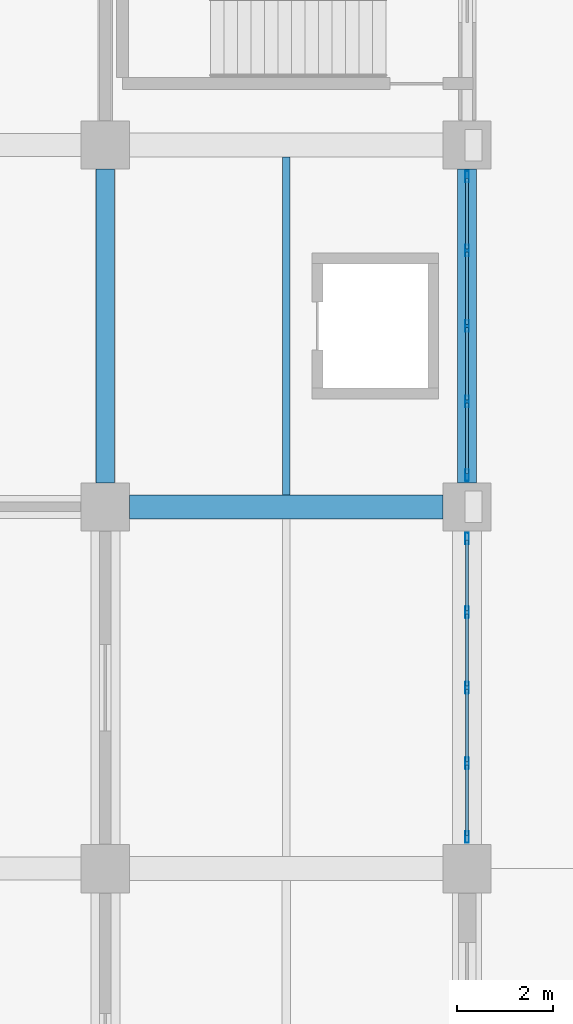
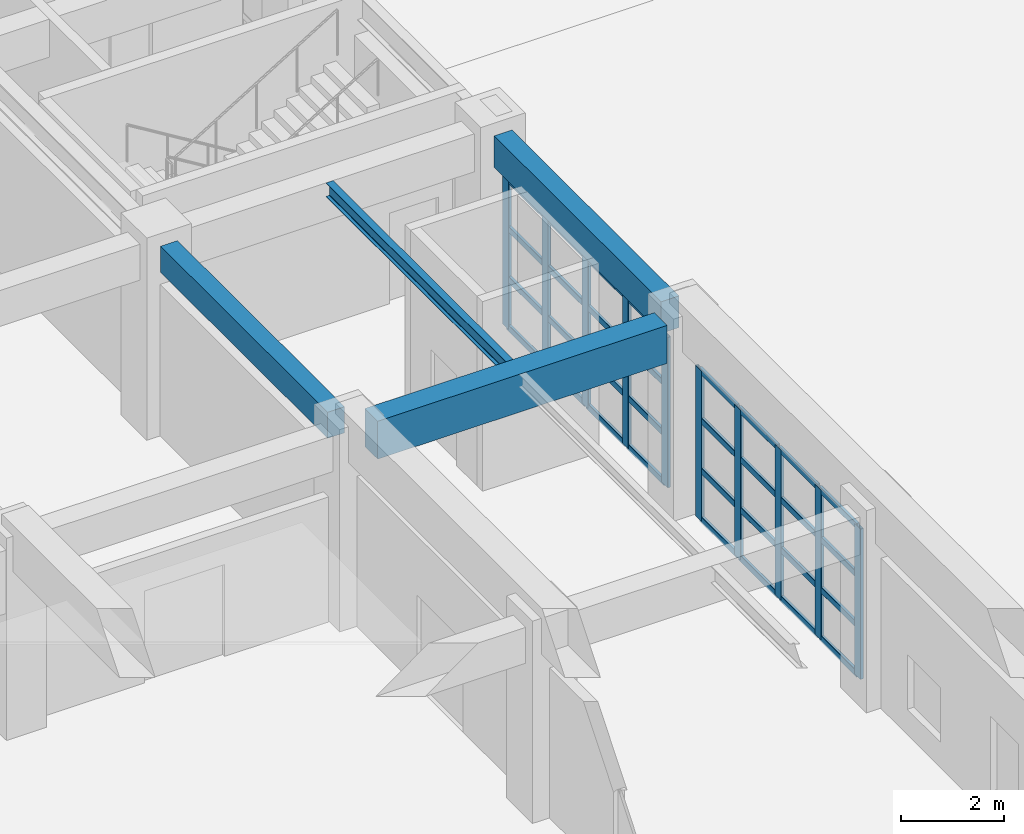
# One storey, part 29 of 122: 42 members, 4 beams, 2 elements without a shape of their own.
"""IFC4 building model written with IfcOpenShell, lengths in metres."""

from ifc_helpers import new_model, si_unit, direction, frame, origin, origin_2d, place, context, subcontext, project, spatial, rectangle, hollow_rectangle, i_section, extrude, material, material_profile, profile_set, type_object, element, aggregate, save


model = new_model("IFC4")

# Units and contexts
model_context = context("Model", 3, precision=1e-05, world=origin(), true_north=direction((0.0, 1.0)))
body_context = subcontext(model_context, "Body", "Model", "MODEL_VIEW")
ifc_project = project(units=[si_unit("LENGTHUNIT", "METRE"), si_unit("AREAUNIT", "SQUARE_METRE"), si_unit("VOLUMEUNIT", "CUBIC_METRE"), si_unit("PLANEANGLEUNIT", "RADIAN"), si_unit("MASSUNIT", "GRAM", prefix="KILO")], contexts=[model_context])

# Site, building, storey
site_placement = place(None, origin())
site = spatial("IfcSite", under=ifc_project, at=site_placement, CompositionType="ELEMENT")
building_placement = place(site_placement, origin())
building = spatial("IfcBuilding", under=site, at=building_placement, Name="Qasida Concert Hall", CompositionType="ELEMENT")
storey_placement = place(building_placement, origin())
storey = spatial("IfcBuildingStorey", under=building, at=storey_placement, Name="L00", CompositionType="ELEMENT", Elevation=0.0)

# Beams
ifc_material_1 = material(Name="Concrete C40/50", Category="concrete")
ifc_material_profile_1 = material_profile(ifc_material_1, rectangle(XDim=0.3798828125, YDim=0.6201171875, at=origin_2d()), Name="RC 380x620")
ifc_profile_set_1 = profile_set([ifc_material_profile_1], Name="Concrete C40/50")
beam_type_1 = type_object("IfcBeamType", Name="BM-B10", PredefinedType="BEAM", material=ifc_profile_set_1)
beam_1_placement = place(storey_placement, frame((97.5, 38.0, 4.18994140625), z_axis=(0.0, 1.0, 0.0), x_axis=(-1.0, 0.0, 0.0)))
element("IfcBeam", 1, at=beam_1_placement, inside=storey, type_object=beam_type_1, Name="L00 girder 0430", PredefinedType="BEAM", context=body_context, shape_type="SweptSolid", body=[
    extrude(rectangle(XDim=0.3798828125, YDim=0.6201171875, at=origin_2d()), origin(), (0.0, 0.0, 1.0), 6.5),
])
ifc_material_profile_2 = material_profile(ifc_material_1, rectangle(XDim=0.5, YDim=0.89990234375, at=origin_2d()), Name="RC 500x900")
ifc_profile_set_2 = profile_set([ifc_material_profile_2], Name="Concrete C40/50")
beam_type_2 = type_object("IfcBeamType", Name="BM-G1", PredefinedType="USERDEFINED", material=ifc_profile_set_2)
beam_2_placement = place(storey_placement, frame((98.0, 37.5, 4.050048828125), z_axis=(1.0, 0.0, 0.0), x_axis=(0.0, 1.0, 0.0)))
element("IfcBeam", 2, at=beam_2_placement, inside=storey, type_object=beam_type_2, Name="Primary girder 0369", ObjectType="GIRDER", PredefinedType="USERDEFINED", context=body_context, shape_type="SweptSolid", body=[
    extrude(rectangle(XDim=0.5, YDim=0.89990234375, at=origin_2d()), origin(), (0.0, 0.0, 1.0), 6.5),
])
ifc_material_2 = material(Name="Steel S355J2", Category="steel")
ifc_material_profile_3 = material_profile(ifc_material_2, i_section(OverallWidth=0.159912109375, OverallDepth=0.330078125, WebThickness=0.007568359375, FlangeThickness=0.011474609375, FilletRadius=0.01806640625, at=origin_2d()), Name="IPE 330")
ifc_profile_set_3 = profile_set([ifc_material_profile_3], Name="Steel S355J2")
beam_type_3 = type_object("IfcBeamType", Name="BM-J5", PredefinedType="JOIST", material=ifc_profile_set_3)
beam_3_placement = place(storey_placement, frame((101.25, 37.75, 4.3349609375), z_axis=(0.0, 1.0, 0.0), x_axis=(-1.0, 0.0, 0.0)))
element("IfcBeam", 3, at=beam_3_placement, inside=storey, type_object=beam_type_3, Name="L00 secondary joist 0460", PredefinedType="JOIST", context=body_context, shape_type="SweptSolid", body=[
    extrude(i_section(OverallWidth=0.159912109375, OverallDepth=0.330078125, WebThickness=0.007568359375, FlangeThickness=0.011474609375, FilletRadius=0.01806640625, at=origin_2d()), origin(), (0.0, 0.0, 1.0), 7.0),
])
ifc_material_profile_4 = material_profile(ifc_material_1, rectangle(XDim=0.39990234375, YDim=0.75, at=origin_2d()), Name="RC 400x750")
ifc_profile_set_4 = profile_set([ifc_material_profile_4], Name="Concrete C40/50")
beam_type_4 = type_object("IfcBeamType", Name="BM-SP1", PredefinedType="SPANDREL", material=ifc_profile_set_4)
beam_4_placement = place(storey_placement, frame((105.0, 38.0, 4.125), z_axis=(0.0, 1.0, 0.0), x_axis=(-1.0, 0.0, 0.0)))
element("IfcBeam", 4, at=beam_4_placement, inside=storey, type_object=beam_type_4, Name="L00 girder 0436", PredefinedType="SPANDREL", context=body_context, shape_type="SweptSolid", body=[
    extrude(rectangle(XDim=0.39990234375, YDim=0.75, at=origin_2d()), origin(), (0.0, 0.0, 1.0), 6.5),
])

# Curtain wall, members
ifc_material_3 = material(Name="Architectural bronze-anodized aluminium and low-E glass", Category="aluminium")
curtain_wall_type = type_object("IfcCurtainWallType", Name="CW-01", PredefinedType="NOTDEFINED", material=ifc_material_3)
curtain_wall_1_placement = place(storey_placement, origin())
curtain_wall_1 = element("IfcCurtainWall", 5, at=curtain_wall_1_placement, inside=storey, type_object=curtain_wall_type, Name="L00 curtain wall CW-01 0036", PredefinedType="NOTDEFINED")
ifc_material_4 = material(Name="Architectural bronze-anodized aluminium EN AW-6063", Category="aluminium")
ifc_material_profile_5 = material_profile(ifc_material_4, hollow_rectangle(XDim=0.070068359375, YDim=0.239990234375, WallThickness=0.0048828125, InnerFilletRadius=0.0048828125, OuterFilletRadius=0.010009765625, at=origin_2d()), Name="CWM 240x70x5")
ifc_profile_set_5 = profile_set([ifc_material_profile_5], Name="Architectural bronze-anodized aluminium EN AW-6063")
member_type_1 = type_object("IfcMemberType", Name="MB-CWM-1", PredefinedType="MULLION", material=ifc_profile_set_5)
member_1_placement = place(storey_placement, frame((105.0, 30.655029296875, 0.0), z_axis=(0.0, 0.0, 1.0), x_axis=(-1.0, 0.0, 0.0)))
member_1 = element("IfcMember", 6, at=member_1_placement, type_object=member_type_1, Name="CW-01 mullion 1", PredefinedType="MULLION", context=body_context, shape_type="SweptSolid", body=[
    extrude(hollow_rectangle(XDim=0.070068359375, YDim=0.239990234375, WallThickness=0.0048828125, InnerFilletRadius=0.0048828125, OuterFilletRadius=0.010009765625, at=origin_2d()), origin(), (0.0, 0.0, 1.0), 3.570068359375),
])
member_2_placement = place(storey_placement, frame((105.0, 32.18505859375, 0.0), z_axis=(0.0, 0.0, 1.0), x_axis=(-1.0, 0.0, 0.0)))
member_2 = element("IfcMember", 7, at=member_2_placement, type_object=member_type_1, Name="CW-01 mullion 2", PredefinedType="MULLION", context=body_context, shape_type="SweptSolid", body=[
    extrude(hollow_rectangle(XDim=0.070068359375, YDim=0.239990234375, WallThickness=0.0048828125, InnerFilletRadius=0.0048828125, OuterFilletRadius=0.010009765625, at=origin_2d()), origin(), (0.0, 0.0, 1.0), 3.570068359375),
])
member_3_placement = place(storey_placement, frame((105.0, 33.75, 0.0), z_axis=(0.0, 0.0, 1.0), x_axis=(-1.0, 0.0, 0.0)))
member_3 = element("IfcMember", 8, at=member_3_placement, type_object=member_type_1, Name="CW-01 mullion 3", PredefinedType="MULLION", context=body_context, shape_type="SweptSolid", body=[
    extrude(hollow_rectangle(XDim=0.070068359375, YDim=0.239990234375, WallThickness=0.0048828125, InnerFilletRadius=0.0048828125, OuterFilletRadius=0.010009765625, at=origin_2d()), origin(), (0.0, 0.0, 1.0), 3.570068359375),
])
member_4_placement = place(storey_placement, frame((105.0, 35.31494140625, 0.0), z_axis=(0.0, 0.0, 1.0), x_axis=(-1.0, 0.0, 0.0)))
member_4 = element("IfcMember", 9, at=member_4_placement, type_object=member_type_1, Name="CW-01 mullion 4", PredefinedType="MULLION", context=body_context, shape_type="SweptSolid", body=[
    extrude(hollow_rectangle(XDim=0.070068359375, YDim=0.239990234375, WallThickness=0.0048828125, InnerFilletRadius=0.0048828125, OuterFilletRadius=0.010009765625, at=origin_2d()), origin(), (0.0, 0.0, 1.0), 3.570068359375),
])
member_5_placement = place(storey_placement, frame((105.0, 36.844970703125, 0.0), z_axis=(0.0, 0.0, 1.0), x_axis=(-1.0, 0.0, 0.0)))
member_5 = element("IfcMember", 10, at=member_5_placement, type_object=member_type_1, Name="CW-01 mullion 5", PredefinedType="MULLION", context=body_context, shape_type="SweptSolid", body=[
    extrude(hollow_rectangle(XDim=0.070068359375, YDim=0.239990234375, WallThickness=0.0048828125, InnerFilletRadius=0.0048828125, OuterFilletRadius=0.010009765625, at=origin_2d()), origin(), (0.0, 0.0, 1.0), 3.570068359375),
])

curtain_wall_2_placement = place(storey_placement, origin())
curtain_wall_2 = element("IfcCurtainWall", 11, at=curtain_wall_2_placement, inside=storey, type_object=curtain_wall_type, Name="L00 curtain wall CW-01 0038", PredefinedType="NOTDEFINED")
member_6_placement = place(storey_placement, frame((105.0, 38.155029296875, 0.0), z_axis=(0.0, 0.0, 1.0), x_axis=(-1.0, 0.0, 0.0)))
member_6 = element("IfcMember", 12, at=member_6_placement, type_object=member_type_1, Name="CW-01 mullion 1", PredefinedType="MULLION", context=body_context, shape_type="SweptSolid", body=[
    extrude(hollow_rectangle(XDim=0.070068359375, YDim=0.239990234375, WallThickness=0.0048828125, InnerFilletRadius=0.0048828125, OuterFilletRadius=0.010009765625, at=origin_2d()), origin(), (0.0, 0.0, 1.0), 3.570068359375),
])
member_7_placement = place(storey_placement, frame((105.0, 39.68505859375, 0.0), z_axis=(0.0, 0.0, 1.0), x_axis=(-1.0, 0.0, 0.0)))
member_7 = element("IfcMember", 13, at=member_7_placement, type_object=member_type_1, Name="CW-01 mullion 2", PredefinedType="MULLION", context=body_context, shape_type="SweptSolid", body=[
    extrude(hollow_rectangle(XDim=0.070068359375, YDim=0.239990234375, WallThickness=0.0048828125, InnerFilletRadius=0.0048828125, OuterFilletRadius=0.010009765625, at=origin_2d()), origin(), (0.0, 0.0, 1.0), 3.570068359375),
])
member_8_placement = place(storey_placement, frame((105.0, 41.25, 0.0), z_axis=(0.0, 0.0, 1.0), x_axis=(-1.0, 0.0, 0.0)))
member_8 = element("IfcMember", 14, at=member_8_placement, type_object=member_type_1, Name="CW-01 mullion 3", PredefinedType="MULLION", context=body_context, shape_type="SweptSolid", body=[
    extrude(hollow_rectangle(XDim=0.070068359375, YDim=0.239990234375, WallThickness=0.0048828125, InnerFilletRadius=0.0048828125, OuterFilletRadius=0.010009765625, at=origin_2d()), origin(), (0.0, 0.0, 1.0), 3.570068359375),
])
member_9_placement = place(storey_placement, frame((105.0, 42.81494140625, 0.0), z_axis=(0.0, 0.0, 1.0), x_axis=(-1.0, 0.0, 0.0)))
member_9 = element("IfcMember", 15, at=member_9_placement, type_object=member_type_1, Name="CW-01 mullion 4", PredefinedType="MULLION", context=body_context, shape_type="SweptSolid", body=[
    extrude(hollow_rectangle(XDim=0.070068359375, YDim=0.239990234375, WallThickness=0.0048828125, InnerFilletRadius=0.0048828125, OuterFilletRadius=0.010009765625, at=origin_2d()), origin(), (0.0, 0.0, 1.0), 3.570068359375),
])
member_10_placement = place(storey_placement, frame((105.0, 44.344970703125, 0.0), z_axis=(0.0, 0.0, 1.0), x_axis=(-1.0, 0.0, 0.0)))
member_10 = element("IfcMember", 16, at=member_10_placement, type_object=member_type_1, Name="CW-01 mullion 5", PredefinedType="MULLION", context=body_context, shape_type="SweptSolid", body=[
    extrude(hollow_rectangle(XDim=0.070068359375, YDim=0.239990234375, WallThickness=0.0048828125, InnerFilletRadius=0.0048828125, OuterFilletRadius=0.010009765625, at=origin_2d()), origin(), (0.0, 0.0, 1.0), 3.570068359375),
])

# Member
ifc_material_profile_6 = material_profile(ifc_material_4, hollow_rectangle(XDim=0.06494140625, YDim=0.14990234375, WallThickness=0.00390625, InnerFilletRadius=0.00390625, OuterFilletRadius=0.008056640625, at=origin_2d()), Name="CWT 150x65x4")
ifc_profile_set_6 = profile_set([ifc_material_profile_6], Name="Architectural bronze-anodized aluminium EN AW-6063")
member_type_2 = type_object("IfcMemberType", Name="MB-CWT-1", PredefinedType="USERDEFINED", material=ifc_profile_set_6)
member_11_placement = place(storey_placement, frame((105.0, 30.68994140625, 0.032470703125), z_axis=(0.0, 1.0, 0.0), x_axis=(-1.0, 0.0, 0.0)))
member_11 = element("IfcMember", 17, at=member_11_placement, type_object=member_type_2, Name="CW-01 transom 1.1", ObjectType="TRANSOM", PredefinedType="USERDEFINED", context=body_context, shape_type="SweptSolid", body=[
    extrude(hollow_rectangle(XDim=0.06494140625, YDim=0.14990234375, WallThickness=0.00390625, InnerFilletRadius=0.00390625, OuterFilletRadius=0.008056640625, at=origin_2d()), origin(), (0.0, 0.0, 1.0), 1.4599609375),
])

member_12_placement = place(storey_placement, frame((105.0, 30.68994140625, 1.18994140625), z_axis=(0.0, 1.0, 0.0), x_axis=(-1.0, 0.0, 0.0)))
member_12 = element("IfcMember", 18, at=member_12_placement, type_object=member_type_2, Name="CW-01 transom 1.2", ObjectType="TRANSOM", PredefinedType="USERDEFINED", context=body_context, shape_type="SweptSolid", body=[
    extrude(hollow_rectangle(XDim=0.06494140625, YDim=0.14990234375, WallThickness=0.00390625, InnerFilletRadius=0.00390625, OuterFilletRadius=0.008056640625, at=origin_2d()), origin(), (0.0, 0.0, 1.0), 1.4599609375),
])

member_13_placement = place(storey_placement, frame((105.0, 30.68994140625, 2.3798828125), z_axis=(0.0, 1.0, 0.0), x_axis=(-1.0, 0.0, 0.0)))
member_13 = element("IfcMember", 19, at=member_13_placement, type_object=member_type_2, Name="CW-01 transom 1.3", ObjectType="TRANSOM", PredefinedType="USERDEFINED", context=body_context, shape_type="SweptSolid", body=[
    extrude(hollow_rectangle(XDim=0.06494140625, YDim=0.14990234375, WallThickness=0.00390625, InnerFilletRadius=0.00390625, OuterFilletRadius=0.008056640625, at=origin_2d()), origin(), (0.0, 0.0, 1.0), 1.4599609375),
])

member_14_placement = place(storey_placement, frame((105.0, 30.68994140625, 3.53759765625), z_axis=(0.0, 1.0, 0.0), x_axis=(-1.0, 0.0, 0.0)))
member_14 = element("IfcMember", 20, at=member_14_placement, type_object=member_type_2, Name="CW-01 transom 1.4", ObjectType="TRANSOM", PredefinedType="USERDEFINED", context=body_context, shape_type="SweptSolid", body=[
    extrude(hollow_rectangle(XDim=0.06494140625, YDim=0.14990234375, WallThickness=0.00390625, InnerFilletRadius=0.00390625, OuterFilletRadius=0.008056640625, at=origin_2d()), origin(), (0.0, 0.0, 1.0), 1.4599609375),
])

member_15_placement = place(storey_placement, frame((105.0, 32.219970703125, 0.032470703125), z_axis=(0.0, 1.0, 0.0), x_axis=(-1.0, 0.0, 0.0)))
member_15 = element("IfcMember", 21, at=member_15_placement, type_object=member_type_2, Name="CW-01 transom 2.1", ObjectType="TRANSOM", PredefinedType="USERDEFINED", context=body_context, shape_type="SweptSolid", body=[
    extrude(hollow_rectangle(XDim=0.06494140625, YDim=0.14990234375, WallThickness=0.00390625, InnerFilletRadius=0.00390625, OuterFilletRadius=0.008056640625, at=origin_2d()), origin(), (0.0, 0.0, 1.0), 1.4951171875),
])

member_16_placement = place(storey_placement, frame((105.0, 32.219970703125, 1.18994140625), z_axis=(0.0, 1.0, 0.0), x_axis=(-1.0, 0.0, 0.0)))
member_16 = element("IfcMember", 22, at=member_16_placement, type_object=member_type_2, Name="CW-01 transom 2.2", ObjectType="TRANSOM", PredefinedType="USERDEFINED", context=body_context, shape_type="SweptSolid", body=[
    extrude(hollow_rectangle(XDim=0.06494140625, YDim=0.14990234375, WallThickness=0.00390625, InnerFilletRadius=0.00390625, OuterFilletRadius=0.008056640625, at=origin_2d()), origin(), (0.0, 0.0, 1.0), 1.4951171875),
])

member_17_placement = place(storey_placement, frame((105.0, 32.219970703125, 2.3798828125), z_axis=(0.0, 1.0, 0.0), x_axis=(-1.0, 0.0, 0.0)))
member_17 = element("IfcMember", 23, at=member_17_placement, type_object=member_type_2, Name="CW-01 transom 2.3", ObjectType="TRANSOM", PredefinedType="USERDEFINED", context=body_context, shape_type="SweptSolid", body=[
    extrude(hollow_rectangle(XDim=0.06494140625, YDim=0.14990234375, WallThickness=0.00390625, InnerFilletRadius=0.00390625, OuterFilletRadius=0.008056640625, at=origin_2d()), origin(), (0.0, 0.0, 1.0), 1.4951171875),
])

member_18_placement = place(storey_placement, frame((105.0, 32.219970703125, 3.53759765625), z_axis=(0.0, 1.0, 0.0), x_axis=(-1.0, 0.0, 0.0)))
member_18 = element("IfcMember", 24, at=member_18_placement, type_object=member_type_2, Name="CW-01 transom 2.4", ObjectType="TRANSOM", PredefinedType="USERDEFINED", context=body_context, shape_type="SweptSolid", body=[
    extrude(hollow_rectangle(XDim=0.06494140625, YDim=0.14990234375, WallThickness=0.00390625, InnerFilletRadius=0.00390625, OuterFilletRadius=0.008056640625, at=origin_2d()), origin(), (0.0, 0.0, 1.0), 1.4951171875),
])

member_19_placement = place(storey_placement, frame((105.0, 33.784912109375, 0.032470703125), z_axis=(0.0, 1.0, 0.0), x_axis=(-1.0, 0.0, 0.0)))
member_19 = element("IfcMember", 25, at=member_19_placement, type_object=member_type_2, Name="CW-01 transom 3.1", ObjectType="TRANSOM", PredefinedType="USERDEFINED", context=body_context, shape_type="SweptSolid", body=[
    extrude(hollow_rectangle(XDim=0.06494140625, YDim=0.14990234375, WallThickness=0.00390625, InnerFilletRadius=0.00390625, OuterFilletRadius=0.008056640625, at=origin_2d()), origin(), (0.0, 0.0, 1.0), 1.4951171875),
])

member_20_placement = place(storey_placement, frame((105.0, 33.784912109375, 1.18994140625), z_axis=(0.0, 1.0, 0.0), x_axis=(-1.0, 0.0, 0.0)))
member_20 = element("IfcMember", 26, at=member_20_placement, type_object=member_type_2, Name="CW-01 transom 3.2", ObjectType="TRANSOM", PredefinedType="USERDEFINED", context=body_context, shape_type="SweptSolid", body=[
    extrude(hollow_rectangle(XDim=0.06494140625, YDim=0.14990234375, WallThickness=0.00390625, InnerFilletRadius=0.00390625, OuterFilletRadius=0.008056640625, at=origin_2d()), origin(), (0.0, 0.0, 1.0), 1.4951171875),
])

member_21_placement = place(storey_placement, frame((105.0, 33.784912109375, 2.3798828125), z_axis=(0.0, 1.0, 0.0), x_axis=(-1.0, 0.0, 0.0)))
member_21 = element("IfcMember", 27, at=member_21_placement, type_object=member_type_2, Name="CW-01 transom 3.3", ObjectType="TRANSOM", PredefinedType="USERDEFINED", context=body_context, shape_type="SweptSolid", body=[
    extrude(hollow_rectangle(XDim=0.06494140625, YDim=0.14990234375, WallThickness=0.00390625, InnerFilletRadius=0.00390625, OuterFilletRadius=0.008056640625, at=origin_2d()), origin(), (0.0, 0.0, 1.0), 1.4951171875),
])

member_22_placement = place(storey_placement, frame((105.0, 33.784912109375, 3.53759765625), z_axis=(0.0, 1.0, 0.0), x_axis=(-1.0, 0.0, 0.0)))
member_22 = element("IfcMember", 28, at=member_22_placement, type_object=member_type_2, Name="CW-01 transom 3.4", ObjectType="TRANSOM", PredefinedType="USERDEFINED", context=body_context, shape_type="SweptSolid", body=[
    extrude(hollow_rectangle(XDim=0.06494140625, YDim=0.14990234375, WallThickness=0.00390625, InnerFilletRadius=0.00390625, OuterFilletRadius=0.008056640625, at=origin_2d()), origin(), (0.0, 0.0, 1.0), 1.4951171875),
])

member_23_placement = place(storey_placement, frame((105.0, 35.35009765625, 0.032470703125), z_axis=(0.0, 1.0, 0.0), x_axis=(-1.0, 0.0, 0.0)))
member_23 = element("IfcMember", 29, at=member_23_placement, type_object=member_type_2, Name="CW-01 transom 4.1", ObjectType="TRANSOM", PredefinedType="USERDEFINED", context=body_context, shape_type="SweptSolid", body=[
    extrude(hollow_rectangle(XDim=0.06494140625, YDim=0.14990234375, WallThickness=0.00390625, InnerFilletRadius=0.00390625, OuterFilletRadius=0.008056640625, at=origin_2d()), origin(), (0.0, 0.0, 1.0), 1.4599609375),
])

member_24_placement = place(storey_placement, frame((105.0, 35.35009765625, 1.18994140625), z_axis=(0.0, 1.0, 0.0), x_axis=(-1.0, 0.0, 0.0)))
member_24 = element("IfcMember", 30, at=member_24_placement, type_object=member_type_2, Name="CW-01 transom 4.2", ObjectType="TRANSOM", PredefinedType="USERDEFINED", context=body_context, shape_type="SweptSolid", body=[
    extrude(hollow_rectangle(XDim=0.06494140625, YDim=0.14990234375, WallThickness=0.00390625, InnerFilletRadius=0.00390625, OuterFilletRadius=0.008056640625, at=origin_2d()), origin(), (0.0, 0.0, 1.0), 1.4599609375),
])

member_25_placement = place(storey_placement, frame((105.0, 35.35009765625, 2.3798828125), z_axis=(0.0, 1.0, 0.0), x_axis=(-1.0, 0.0, 0.0)))
member_25 = element("IfcMember", 31, at=member_25_placement, type_object=member_type_2, Name="CW-01 transom 4.3", ObjectType="TRANSOM", PredefinedType="USERDEFINED", context=body_context, shape_type="SweptSolid", body=[
    extrude(hollow_rectangle(XDim=0.06494140625, YDim=0.14990234375, WallThickness=0.00390625, InnerFilletRadius=0.00390625, OuterFilletRadius=0.008056640625, at=origin_2d()), origin(), (0.0, 0.0, 1.0), 1.4599609375),
])

member_26_placement = place(storey_placement, frame((105.0, 35.35009765625, 3.53759765625), z_axis=(0.0, 1.0, 0.0), x_axis=(-1.0, 0.0, 0.0)))
member_26 = element("IfcMember", 32, at=member_26_placement, type_object=member_type_2, Name="CW-01 transom 4.4", ObjectType="TRANSOM", PredefinedType="USERDEFINED", context=body_context, shape_type="SweptSolid", body=[
    extrude(hollow_rectangle(XDim=0.06494140625, YDim=0.14990234375, WallThickness=0.00390625, InnerFilletRadius=0.00390625, OuterFilletRadius=0.008056640625, at=origin_2d()), origin(), (0.0, 0.0, 1.0), 1.4599609375),
])

aggregate(curtain_wall_1, [member_1, member_2, member_3, member_4, member_5, member_11, member_12, member_13, member_14, member_15, member_16, member_17, member_18, member_19, member_20, member_21, member_22, member_23, member_24, member_25, member_26])

member_27_placement = place(storey_placement, frame((105.0, 38.18994140625, 0.032470703125), z_axis=(0.0, 1.0, 0.0), x_axis=(-1.0, 0.0, 0.0)))
member_27 = element("IfcMember", 33, at=member_27_placement, type_object=member_type_2, Name="CW-01 transom 1.1", ObjectType="TRANSOM", PredefinedType="USERDEFINED", context=body_context, shape_type="SweptSolid", body=[
    extrude(hollow_rectangle(XDim=0.06494140625, YDim=0.14990234375, WallThickness=0.00390625, InnerFilletRadius=0.00390625, OuterFilletRadius=0.008056640625, at=origin_2d()), origin(), (0.0, 0.0, 1.0), 1.4599609375),
])

member_28_placement = place(storey_placement, frame((105.0, 38.18994140625, 1.18994140625), z_axis=(0.0, 1.0, 0.0), x_axis=(-1.0, 0.0, 0.0)))
member_28 = element("IfcMember", 34, at=member_28_placement, type_object=member_type_2, Name="CW-01 transom 1.2", ObjectType="TRANSOM", PredefinedType="USERDEFINED", context=body_context, shape_type="SweptSolid", body=[
    extrude(hollow_rectangle(XDim=0.06494140625, YDim=0.14990234375, WallThickness=0.00390625, InnerFilletRadius=0.00390625, OuterFilletRadius=0.008056640625, at=origin_2d()), origin(), (0.0, 0.0, 1.0), 1.4599609375),
])

member_29_placement = place(storey_placement, frame((105.0, 38.18994140625, 2.3798828125), z_axis=(0.0, 1.0, 0.0), x_axis=(-1.0, 0.0, 0.0)))
member_29 = element("IfcMember", 35, at=member_29_placement, type_object=member_type_2, Name="CW-01 transom 1.3", ObjectType="TRANSOM", PredefinedType="USERDEFINED", context=body_context, shape_type="SweptSolid", body=[
    extrude(hollow_rectangle(XDim=0.06494140625, YDim=0.14990234375, WallThickness=0.00390625, InnerFilletRadius=0.00390625, OuterFilletRadius=0.008056640625, at=origin_2d()), origin(), (0.0, 0.0, 1.0), 1.4599609375),
])

member_30_placement = place(storey_placement, frame((105.0, 38.18994140625, 3.53759765625), z_axis=(0.0, 1.0, 0.0), x_axis=(-1.0, 0.0, 0.0)))
member_30 = element("IfcMember", 36, at=member_30_placement, type_object=member_type_2, Name="CW-01 transom 1.4", ObjectType="TRANSOM", PredefinedType="USERDEFINED", context=body_context, shape_type="SweptSolid", body=[
    extrude(hollow_rectangle(XDim=0.06494140625, YDim=0.14990234375, WallThickness=0.00390625, InnerFilletRadius=0.00390625, OuterFilletRadius=0.008056640625, at=origin_2d()), origin(), (0.0, 0.0, 1.0), 1.4599609375),
])

member_31_placement = place(storey_placement, frame((105.0, 39.719970703125, 0.032470703125), z_axis=(0.0, 1.0, 0.0), x_axis=(-1.0, 0.0, 0.0)))
member_31 = element("IfcMember", 37, at=member_31_placement, type_object=member_type_2, Name="CW-01 transom 2.1", ObjectType="TRANSOM", PredefinedType="USERDEFINED", context=body_context, shape_type="SweptSolid", body=[
    extrude(hollow_rectangle(XDim=0.06494140625, YDim=0.14990234375, WallThickness=0.00390625, InnerFilletRadius=0.00390625, OuterFilletRadius=0.008056640625, at=origin_2d()), origin(), (0.0, 0.0, 1.0), 1.4951171875),
])

member_32_placement = place(storey_placement, frame((105.0, 39.719970703125, 1.18994140625), z_axis=(0.0, 1.0, 0.0), x_axis=(-1.0, 0.0, 0.0)))
member_32 = element("IfcMember", 38, at=member_32_placement, type_object=member_type_2, Name="CW-01 transom 2.2", ObjectType="TRANSOM", PredefinedType="USERDEFINED", context=body_context, shape_type="SweptSolid", body=[
    extrude(hollow_rectangle(XDim=0.06494140625, YDim=0.14990234375, WallThickness=0.00390625, InnerFilletRadius=0.00390625, OuterFilletRadius=0.008056640625, at=origin_2d()), origin(), (0.0, 0.0, 1.0), 1.4951171875),
])

member_33_placement = place(storey_placement, frame((105.0, 39.719970703125, 2.3798828125), z_axis=(0.0, 1.0, 0.0), x_axis=(-1.0, 0.0, 0.0)))
member_33 = element("IfcMember", 39, at=member_33_placement, type_object=member_type_2, Name="CW-01 transom 2.3", ObjectType="TRANSOM", PredefinedType="USERDEFINED", context=body_context, shape_type="SweptSolid", body=[
    extrude(hollow_rectangle(XDim=0.06494140625, YDim=0.14990234375, WallThickness=0.00390625, InnerFilletRadius=0.00390625, OuterFilletRadius=0.008056640625, at=origin_2d()), origin(), (0.0, 0.0, 1.0), 1.4951171875),
])

member_34_placement = place(storey_placement, frame((105.0, 39.719970703125, 3.53759765625), z_axis=(0.0, 1.0, 0.0), x_axis=(-1.0, 0.0, 0.0)))
member_34 = element("IfcMember", 40, at=member_34_placement, type_object=member_type_2, Name="CW-01 transom 2.4", ObjectType="TRANSOM", PredefinedType="USERDEFINED", context=body_context, shape_type="SweptSolid", body=[
    extrude(hollow_rectangle(XDim=0.06494140625, YDim=0.14990234375, WallThickness=0.00390625, InnerFilletRadius=0.00390625, OuterFilletRadius=0.008056640625, at=origin_2d()), origin(), (0.0, 0.0, 1.0), 1.4951171875),
])

member_35_placement = place(storey_placement, frame((105.0, 41.284912109375, 0.032470703125), z_axis=(0.0, 1.0, 0.0), x_axis=(-1.0, 0.0, 0.0)))
member_35 = element("IfcMember", 41, at=member_35_placement, type_object=member_type_2, Name="CW-01 transom 3.1", ObjectType="TRANSOM", PredefinedType="USERDEFINED", context=body_context, shape_type="SweptSolid", body=[
    extrude(hollow_rectangle(XDim=0.06494140625, YDim=0.14990234375, WallThickness=0.00390625, InnerFilletRadius=0.00390625, OuterFilletRadius=0.008056640625, at=origin_2d()), origin(), (0.0, 0.0, 1.0), 1.4951171875),
])

member_36_placement = place(storey_placement, frame((105.0, 41.284912109375, 1.18994140625), z_axis=(0.0, 1.0, 0.0), x_axis=(-1.0, 0.0, 0.0)))
member_36 = element("IfcMember", 42, at=member_36_placement, type_object=member_type_2, Name="CW-01 transom 3.2", ObjectType="TRANSOM", PredefinedType="USERDEFINED", context=body_context, shape_type="SweptSolid", body=[
    extrude(hollow_rectangle(XDim=0.06494140625, YDim=0.14990234375, WallThickness=0.00390625, InnerFilletRadius=0.00390625, OuterFilletRadius=0.008056640625, at=origin_2d()), origin(), (0.0, 0.0, 1.0), 1.4951171875),
])

member_37_placement = place(storey_placement, frame((105.0, 41.284912109375, 2.3798828125), z_axis=(0.0, 1.0, 0.0), x_axis=(-1.0, 0.0, 0.0)))
member_37 = element("IfcMember", 43, at=member_37_placement, type_object=member_type_2, Name="CW-01 transom 3.3", ObjectType="TRANSOM", PredefinedType="USERDEFINED", context=body_context, shape_type="SweptSolid", body=[
    extrude(hollow_rectangle(XDim=0.06494140625, YDim=0.14990234375, WallThickness=0.00390625, InnerFilletRadius=0.00390625, OuterFilletRadius=0.008056640625, at=origin_2d()), origin(), (0.0, 0.0, 1.0), 1.4951171875),
])

member_38_placement = place(storey_placement, frame((105.0, 41.284912109375, 3.53759765625), z_axis=(0.0, 1.0, 0.0), x_axis=(-1.0, 0.0, 0.0)))
member_38 = element("IfcMember", 44, at=member_38_placement, type_object=member_type_2, Name="CW-01 transom 3.4", ObjectType="TRANSOM", PredefinedType="USERDEFINED", context=body_context, shape_type="SweptSolid", body=[
    extrude(hollow_rectangle(XDim=0.06494140625, YDim=0.14990234375, WallThickness=0.00390625, InnerFilletRadius=0.00390625, OuterFilletRadius=0.008056640625, at=origin_2d()), origin(), (0.0, 0.0, 1.0), 1.4951171875),
])

member_39_placement = place(storey_placement, frame((105.0, 42.85009765625, 0.032470703125), z_axis=(0.0, 1.0, 0.0), x_axis=(-1.0, 0.0, 0.0)))
member_39 = element("IfcMember", 45, at=member_39_placement, type_object=member_type_2, Name="CW-01 transom 4.1", ObjectType="TRANSOM", PredefinedType="USERDEFINED", context=body_context, shape_type="SweptSolid", body=[
    extrude(hollow_rectangle(XDim=0.06494140625, YDim=0.14990234375, WallThickness=0.00390625, InnerFilletRadius=0.00390625, OuterFilletRadius=0.008056640625, at=origin_2d()), origin(), (0.0, 0.0, 1.0), 1.4599609375),
])

member_40_placement = place(storey_placement, frame((105.0, 42.85009765625, 1.18994140625), z_axis=(0.0, 1.0, 0.0), x_axis=(-1.0, 0.0, 0.0)))
member_40 = element("IfcMember", 46, at=member_40_placement, type_object=member_type_2, Name="CW-01 transom 4.2", ObjectType="TRANSOM", PredefinedType="USERDEFINED", context=body_context, shape_type="SweptSolid", body=[
    extrude(hollow_rectangle(XDim=0.06494140625, YDim=0.14990234375, WallThickness=0.00390625, InnerFilletRadius=0.00390625, OuterFilletRadius=0.008056640625, at=origin_2d()), origin(), (0.0, 0.0, 1.0), 1.4599609375),
])

member_41_placement = place(storey_placement, frame((105.0, 42.85009765625, 2.3798828125), z_axis=(0.0, 1.0, 0.0), x_axis=(-1.0, 0.0, 0.0)))
member_41 = element("IfcMember", 47, at=member_41_placement, type_object=member_type_2, Name="CW-01 transom 4.3", ObjectType="TRANSOM", PredefinedType="USERDEFINED", context=body_context, shape_type="SweptSolid", body=[
    extrude(hollow_rectangle(XDim=0.06494140625, YDim=0.14990234375, WallThickness=0.00390625, InnerFilletRadius=0.00390625, OuterFilletRadius=0.008056640625, at=origin_2d()), origin(), (0.0, 0.0, 1.0), 1.4599609375),
])

member_42_placement = place(storey_placement, frame((105.0, 42.85009765625, 3.53759765625), z_axis=(0.0, 1.0, 0.0), x_axis=(-1.0, 0.0, 0.0)))
member_42 = element("IfcMember", 48, at=member_42_placement, type_object=member_type_2, Name="CW-01 transom 4.4", ObjectType="TRANSOM", PredefinedType="USERDEFINED", context=body_context, shape_type="SweptSolid", body=[
    extrude(hollow_rectangle(XDim=0.06494140625, YDim=0.14990234375, WallThickness=0.00390625, InnerFilletRadius=0.00390625, OuterFilletRadius=0.008056640625, at=origin_2d()), origin(), (0.0, 0.0, 1.0), 1.4599609375),
])

aggregate(curtain_wall_2, [member_6, member_7, member_8, member_9, member_10, member_27, member_28, member_29, member_30, member_31, member_32, member_33, member_34, member_35, member_36, member_37, member_38, member_39, member_40, member_41, member_42])

save(model, "model.ifc")
